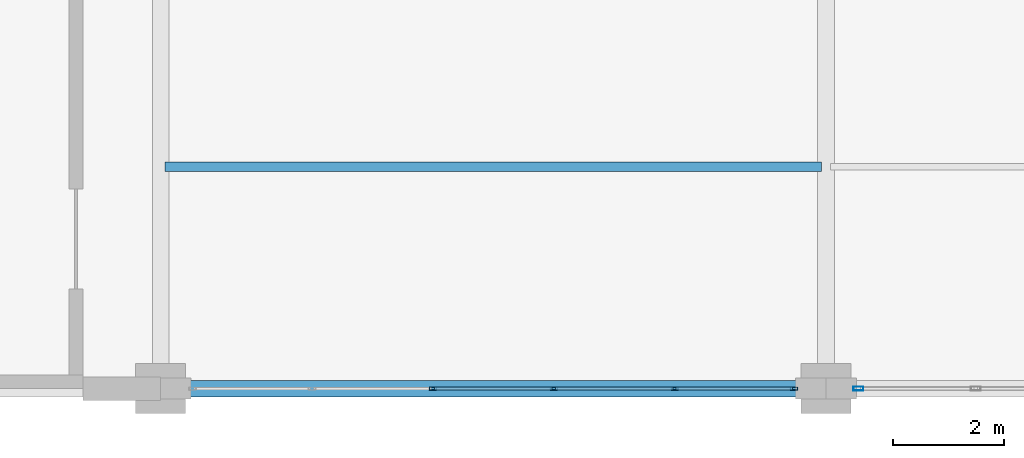
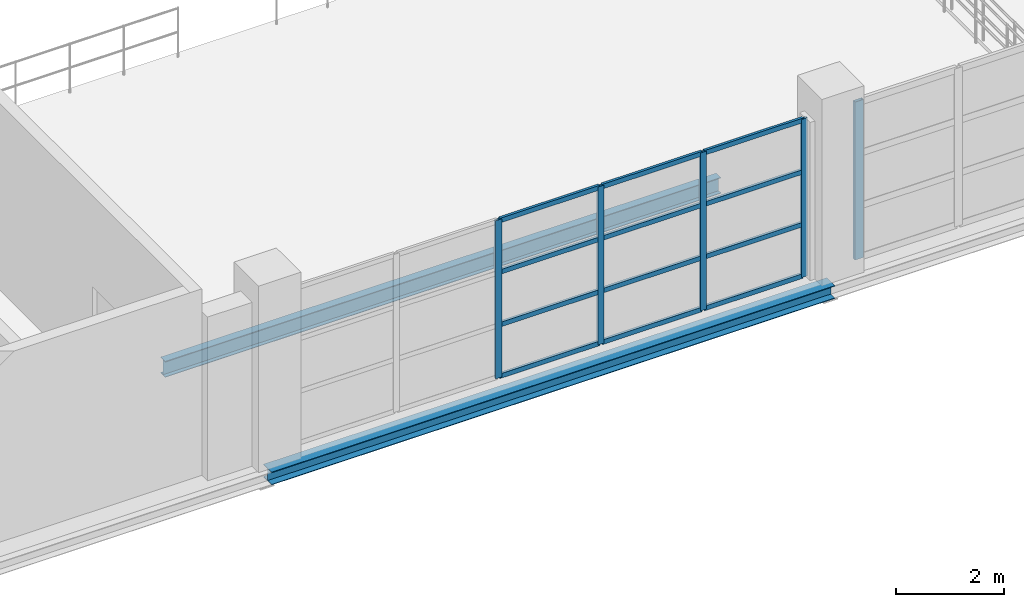
# One storey, part 67 of 158: 17 members, 2 beams, 2 elements without a shape of their own.
"""IFC4 building model written with IfcOpenShell, lengths in metres."""

from ifc_helpers import new_model, si_unit, direction, frame, origin, origin_2d, place, context, subcontext, project, spatial, hollow_rectangle, i_section, extrude, material, layer, layer_set, material_profile, profile_set, type_object, element, aggregate, save


model = new_model("IFC4")

# Units and contexts
model_context = context("Model", 3, precision=1e-05, world=origin(), true_north=direction((0.0, 1.0)))
body_context = subcontext(model_context, "Body", "Model", "MODEL_VIEW")
ifc_project = project(units=[si_unit("LENGTHUNIT", "METRE"), si_unit("AREAUNIT", "SQUARE_METRE"), si_unit("VOLUMEUNIT", "CUBIC_METRE"), si_unit("PLANEANGLEUNIT", "RADIAN"), si_unit("MASSUNIT", "GRAM", prefix="KILO")], contexts=[model_context])

# Site, building, storey
site_placement = place(None, origin())
site = spatial("IfcSite", under=ifc_project, at=site_placement, CompositionType="ELEMENT")
building_placement = place(site_placement, origin())
building = spatial("IfcBuilding", under=site, at=building_placement, Name="Zilviju Railside Exhibition Hall", CompositionType="ELEMENT")
storey_placement = place(building_placement, frame((0.0, 0.0, 4.199951171875)))
storey = spatial("IfcBuildingStorey", under=building, at=storey_placement, Name="L02", CompositionType="ELEMENT", Elevation=4.199951171875)

# Beams
ifc_material_1 = material(Name="Steel S355J2", Category="steel")
ifc_material_profile_1 = material_profile(ifc_material_1, i_section(OverallWidth=0.300048828125, OverallDepth=0.2900390625, WebThickness=0.008544921875, FlangeThickness=0.013916015625, at=origin_2d()), Name="HEA 300")
ifc_profile_set_1 = profile_set([ifc_material_profile_1], Name="Steel S355J2")
beam_type_1 = type_object("IfcBeamType", Name="BM-HEA300", PredefinedType="SPANDREL", material=ifc_profile_set_1)
beam_1_placement = place(storey_placement, frame((156.0, 0.0, -0.474853515625), z_axis=(1.0, 0.0, 0.0), x_axis=(0.0, 1.0, 0.0)))
element("IfcBeam", 1, at=beam_1_placement, inside=storey, type_object=beam_type_1, Name="Primary Girder L02 Y=0.0 (156.0..168.0)", PredefinedType="SPANDREL", context=body_context, shape_type="SweptSolid", body=[
    extrude(i_section(OverallWidth=0.300048828125, OverallDepth=0.2900390625, WebThickness=0.008544921875, FlangeThickness=0.013916015625, at=origin_2d()), origin(), (0.0, 0.0, 1.0), 12.0),
])
ifc_material_profile_2 = material_profile(ifc_material_1, i_section(OverallWidth=0.169921875, OverallDepth=0.360107421875, WebThickness=0.008056640625, FlangeThickness=0.0126953125, at=origin_2d()), Name="IPE 360")
ifc_profile_set_2 = profile_set([ifc_material_profile_2], Name="Steel S355J2")
beam_type_2 = type_object("IfcBeamType", Name="BM-IPE360", PredefinedType="JOIST", material=ifc_profile_set_2)
beam_2_placement = place(storey_placement, frame((156.080078125, 4.0, -0.510009765625), z_axis=(1.0, 0.0, 0.0), x_axis=(0.0, 1.0, 0.0)))
element("IfcBeam", 2, at=beam_2_placement, inside=storey, type_object=beam_type_2, Name="Composite Floor Joist L02 Y=4.00 (156.0..168.0)", PredefinedType="JOIST", context=body_context, shape_type="SweptSolid", body=[
    extrude(i_section(OverallWidth=0.169921875, OverallDepth=0.360107421875, WebThickness=0.008056640625, FlangeThickness=0.0126953125, at=origin_2d()), origin(), (0.0, 0.0, 1.0), 11.83984375),
])

# Curtain wall, members
ifc_material_2 = material(Name="Thermally broken aluminium-steel triple-glazed curtain wall", Category="steel")
ifc_layer_1 = layer(ifc_material_2, 0.179931640625)
ifc_layer_set_1 = layer_set([ifc_layer_1], Name="Thermally broken aluminium-steel triple-glazed curtain wall")
curtain_wall_type_1 = type_object("IfcCurtainWallType", Name="CW-BAY-12", PredefinedType="USERDEFINED", material=ifc_layer_set_1)
curtain_wall_1_placement = place(storey_placement, origin())
curtain_wall_1 = element("IfcCurtainWall", 3, at=curtain_wall_1_placement, inside=storey, type_object=curtain_wall_type_1, Name="South Hall Facade Curtain Wall L02 (156..168)", ObjectType="GLAZED CURTAIN WALL", PredefinedType="USERDEFINED")
ifc_material_3 = material(Name="Thermally broken anodized aluminium mullion", Category="aluminium")
ifc_material_profile_3 = material_profile(ifc_material_3, hollow_rectangle(XDim=0.054931640625, YDim=0.1298828125, WallThickness=0.0048828125, at=origin_2d()), Name="MULLION 130x55x5")
ifc_profile_set_3 = profile_set([ifc_material_profile_3], Name="Thermally broken anodized aluminium mullion")
member_type_1 = type_object("IfcMemberType", Name="CWM-55x130", PredefinedType="MULLION", material=ifc_profile_set_3)
member_1_placement = place(storey_placement, frame((167.422607421875, 0.0, 0.0), z_axis=(0.0, 0.0, 1.0), x_axis=(0.0, -1.0, 0.0)))
member_1 = element("IfcMember", 4, at=member_1_placement, type_object=member_type_1, Name="CW-12 mullion 1", PredefinedType="MULLION", context=body_context, shape_type="SweptSolid", body=[
    extrude(hollow_rectangle(XDim=0.054931640625, YDim=0.1298828125, WallThickness=0.0048828125, at=origin_2d()), origin(), (0.0, 0.0, 1.0), 3.56005859375),
])
member_2_placement = place(storey_placement, frame((165.27001953125, 0.0, 0.0), z_axis=(0.0, 0.0, 1.0), x_axis=(0.0, -1.0, 0.0)))
member_2 = element("IfcMember", 5, at=member_2_placement, type_object=member_type_1, Name="CW-12 mullion 2", PredefinedType="MULLION", context=body_context, shape_type="SweptSolid", body=[
    extrude(hollow_rectangle(XDim=0.054931640625, YDim=0.1298828125, WallThickness=0.0048828125, at=origin_2d()), origin(), (0.0, 0.0, 1.0), 3.56005859375),
])
member_3_placement = place(storey_placement, frame((163.090087890625, 0.0, 0.0), z_axis=(0.0, 0.0, 1.0), x_axis=(0.0, -1.0, 0.0)))
member_3 = element("IfcMember", 6, at=member_3_placement, type_object=member_type_1, Name="CW-12 mullion 3", PredefinedType="MULLION", context=body_context, shape_type="SweptSolid", body=[
    extrude(hollow_rectangle(XDim=0.054931640625, YDim=0.1298828125, WallThickness=0.0048828125, at=origin_2d()), origin(), (0.0, 0.0, 1.0), 3.56005859375),
])
member_4_placement = place(storey_placement, frame((160.909912109375, 0.0, 0.0), z_axis=(0.0, 0.0, 1.0), x_axis=(0.0, -1.0, 0.0)))
member_4 = element("IfcMember", 7, at=member_4_placement, type_object=member_type_1, Name="CW-12 mullion 4", PredefinedType="MULLION", context=body_context, shape_type="SweptSolid", body=[
    extrude(hollow_rectangle(XDim=0.054931640625, YDim=0.1298828125, WallThickness=0.0048828125, at=origin_2d()), origin(), (0.0, 0.0, 1.0), 3.56005859375),
])

# Curtain wall, member
ifc_layer_2 = layer(ifc_material_2, 0.179931640625)
ifc_layer_set_2 = layer_set([ifc_layer_2], Name="Thermally broken aluminium-steel triple-glazed curtain wall")
curtain_wall_type_2 = type_object("IfcCurtainWallType", Name="CW-BAY-13", PredefinedType="USERDEFINED", material=ifc_layer_set_2)
curtain_wall_2_placement = place(storey_placement, origin())
curtain_wall_2 = element("IfcCurtainWall", 8, at=curtain_wall_2_placement, inside=storey, type_object=curtain_wall_type_2, Name="South Hall Facade Curtain Wall L02 (168..173)", ObjectType="GLAZED CURTAIN WALL", PredefinedType="USERDEFINED")
ifc_material_profile_4 = material_profile(ifc_material_3, hollow_rectangle(XDim=0.070068359375, YDim=0.179931640625, WallThickness=0.0048828125, at=origin_2d()), Name="MULLION 180x70x5")
ifc_profile_set_4 = profile_set([ifc_material_profile_4], Name="Thermally broken anodized aluminium mullion")
member_type_2 = type_object("IfcMemberType", Name="CWM-70x180", PredefinedType="MULLION", material=ifc_profile_set_4)
member_5_placement = place(storey_placement, frame((168.5849609375, 0.0, 0.0), z_axis=(0.0, 0.0, 1.0), x_axis=(0.0, -1.0, 0.0)))
member_5 = element("IfcMember", 9, at=member_5_placement, type_object=member_type_2, Name="CW-13 mullion 3", PredefinedType="MULLION", context=body_context, shape_type="SweptSolid", body=[
    extrude(hollow_rectangle(XDim=0.070068359375, YDim=0.179931640625, WallThickness=0.0048828125, at=origin_2d()), origin(), (0.0, 0.0, 1.0), 3.56005859375),
])
aggregate(curtain_wall_2, [member_5])

# Member
ifc_material_4 = material(Name="Thermally broken anodized aluminium transom", Category="aluminium")
ifc_material_profile_5 = material_profile(ifc_material_4, hollow_rectangle(XDim=0.054931640625, YDim=0.10498046875, WallThickness=0.0048828125, at=origin_2d()), Name="TRANSOM 105x55x5")
ifc_profile_set_5 = profile_set([ifc_material_profile_5], Name="Thermally broken anodized aluminium transom")
member_type_3 = type_object("IfcMemberType", Name="CWT-55x105", PredefinedType="USERDEFINED", material=ifc_profile_set_5)
member_6_placement = place(storey_placement, frame((167.39501953125, 0.0, 0.027587890625), z_axis=(-1.0, 0.0, 0.0), x_axis=(0.0, -1.0, 0.0)))
member_6 = element("IfcMember", 10, at=member_6_placement, type_object=member_type_3, Name="CW-12 transom 1.1", ObjectType="TRANSOM", PredefinedType="USERDEFINED", context=body_context, shape_type="SweptSolid", body=[
    extrude(hollow_rectangle(XDim=0.054931640625, YDim=0.10498046875, WallThickness=0.0048828125, at=origin_2d()), origin(), (0.0, 0.0, 1.0), 2.097412109375),
])

member_7_placement = place(storey_placement, frame((167.39501953125, 0.0, 1.18701171875), z_axis=(-1.0, 0.0, 0.0), x_axis=(0.0, -1.0, 0.0)))
member_7 = element("IfcMember", 11, at=member_7_placement, type_object=member_type_3, Name="CW-12 transom 1.2", ObjectType="TRANSOM", PredefinedType="USERDEFINED", context=body_context, shape_type="SweptSolid", body=[
    extrude(hollow_rectangle(XDim=0.054931640625, YDim=0.10498046875, WallThickness=0.0048828125, at=origin_2d()), origin(), (0.0, 0.0, 1.0), 2.097412109375),
])

member_8_placement = place(storey_placement, frame((167.39501953125, 0.0, 2.373046875), z_axis=(-1.0, 0.0, 0.0), x_axis=(0.0, -1.0, 0.0)))
member_8 = element("IfcMember", 12, at=member_8_placement, type_object=member_type_3, Name="CW-12 transom 1.3", ObjectType="TRANSOM", PredefinedType="USERDEFINED", context=body_context, shape_type="SweptSolid", body=[
    extrude(hollow_rectangle(XDim=0.054931640625, YDim=0.10498046875, WallThickness=0.0048828125, at=origin_2d()), origin(), (0.0, 0.0, 1.0), 2.097412109375),
])

member_9_placement = place(storey_placement, frame((167.39501953125, 0.0, 3.532470703125), z_axis=(-1.0, 0.0, 0.0), x_axis=(0.0, -1.0, 0.0)))
member_9 = element("IfcMember", 13, at=member_9_placement, type_object=member_type_3, Name="CW-12 transom 1.4", ObjectType="TRANSOM", PredefinedType="USERDEFINED", context=body_context, shape_type="SweptSolid", body=[
    extrude(hollow_rectangle(XDim=0.054931640625, YDim=0.10498046875, WallThickness=0.0048828125, at=origin_2d()), origin(), (0.0, 0.0, 1.0), 2.097412109375),
])

member_10_placement = place(storey_placement, frame((165.242431640625, 0.0, 0.027587890625), z_axis=(-1.0, 0.0, 0.0), x_axis=(0.0, -1.0, 0.0)))
member_10 = element("IfcMember", 14, at=member_10_placement, type_object=member_type_3, Name="CW-12 transom 2.1", ObjectType="TRANSOM", PredefinedType="USERDEFINED", context=body_context, shape_type="SweptSolid", body=[
    extrude(hollow_rectangle(XDim=0.054931640625, YDim=0.10498046875, WallThickness=0.0048828125, at=origin_2d()), origin(), (0.0, 0.0, 1.0), 2.125),
])

member_11_placement = place(storey_placement, frame((165.242431640625, 0.0, 1.18701171875), z_axis=(-1.0, 0.0, 0.0), x_axis=(0.0, -1.0, 0.0)))
member_11 = element("IfcMember", 15, at=member_11_placement, type_object=member_type_3, Name="CW-12 transom 2.2", ObjectType="TRANSOM", PredefinedType="USERDEFINED", context=body_context, shape_type="SweptSolid", body=[
    extrude(hollow_rectangle(XDim=0.054931640625, YDim=0.10498046875, WallThickness=0.0048828125, at=origin_2d()), origin(), (0.0, 0.0, 1.0), 2.125),
])

member_12_placement = place(storey_placement, frame((165.242431640625, 0.0, 2.373046875), z_axis=(-1.0, 0.0, 0.0), x_axis=(0.0, -1.0, 0.0)))
member_12 = element("IfcMember", 16, at=member_12_placement, type_object=member_type_3, Name="CW-12 transom 2.3", ObjectType="TRANSOM", PredefinedType="USERDEFINED", context=body_context, shape_type="SweptSolid", body=[
    extrude(hollow_rectangle(XDim=0.054931640625, YDim=0.10498046875, WallThickness=0.0048828125, at=origin_2d()), origin(), (0.0, 0.0, 1.0), 2.125),
])

member_13_placement = place(storey_placement, frame((165.242431640625, 0.0, 3.532470703125), z_axis=(-1.0, 0.0, 0.0), x_axis=(0.0, -1.0, 0.0)))
member_13 = element("IfcMember", 17, at=member_13_placement, type_object=member_type_3, Name="CW-12 transom 2.4", ObjectType="TRANSOM", PredefinedType="USERDEFINED", context=body_context, shape_type="SweptSolid", body=[
    extrude(hollow_rectangle(XDim=0.054931640625, YDim=0.10498046875, WallThickness=0.0048828125, at=origin_2d()), origin(), (0.0, 0.0, 1.0), 2.125),
])

member_14_placement = place(storey_placement, frame((163.0625, 0.0, 0.027587890625), z_axis=(-1.0, 0.0, 0.0), x_axis=(0.0, -1.0, 0.0)))
member_14 = element("IfcMember", 18, at=member_14_placement, type_object=member_type_3, Name="CW-12 transom 3.1", ObjectType="TRANSOM", PredefinedType="USERDEFINED", context=body_context, shape_type="SweptSolid", body=[
    extrude(hollow_rectangle(XDim=0.054931640625, YDim=0.10498046875, WallThickness=0.0048828125, at=origin_2d()), origin(), (0.0, 0.0, 1.0), 2.125),
])

member_15_placement = place(storey_placement, frame((163.0625, 0.0, 1.18701171875), z_axis=(-1.0, 0.0, 0.0), x_axis=(0.0, -1.0, 0.0)))
member_15 = element("IfcMember", 19, at=member_15_placement, type_object=member_type_3, Name="CW-12 transom 3.2", ObjectType="TRANSOM", PredefinedType="USERDEFINED", context=body_context, shape_type="SweptSolid", body=[
    extrude(hollow_rectangle(XDim=0.054931640625, YDim=0.10498046875, WallThickness=0.0048828125, at=origin_2d()), origin(), (0.0, 0.0, 1.0), 2.125),
])

member_16_placement = place(storey_placement, frame((163.0625, 0.0, 2.373046875), z_axis=(-1.0, 0.0, 0.0), x_axis=(0.0, -1.0, 0.0)))
member_16 = element("IfcMember", 20, at=member_16_placement, type_object=member_type_3, Name="CW-12 transom 3.3", ObjectType="TRANSOM", PredefinedType="USERDEFINED", context=body_context, shape_type="SweptSolid", body=[
    extrude(hollow_rectangle(XDim=0.054931640625, YDim=0.10498046875, WallThickness=0.0048828125, at=origin_2d()), origin(), (0.0, 0.0, 1.0), 2.125),
])

member_17_placement = place(storey_placement, frame((163.0625, 0.0, 3.532470703125), z_axis=(-1.0, 0.0, 0.0), x_axis=(0.0, -1.0, 0.0)))
member_17 = element("IfcMember", 21, at=member_17_placement, type_object=member_type_3, Name="CW-12 transom 3.4", ObjectType="TRANSOM", PredefinedType="USERDEFINED", context=body_context, shape_type="SweptSolid", body=[
    extrude(hollow_rectangle(XDim=0.054931640625, YDim=0.10498046875, WallThickness=0.0048828125, at=origin_2d()), origin(), (0.0, 0.0, 1.0), 2.125),
])

aggregate(curtain_wall_1, [member_1, member_2, member_3, member_4, member_6, member_7, member_8, member_9, member_10, member_11, member_12, member_13, member_14, member_15, member_16, member_17])

save(model, "model.ifc")
